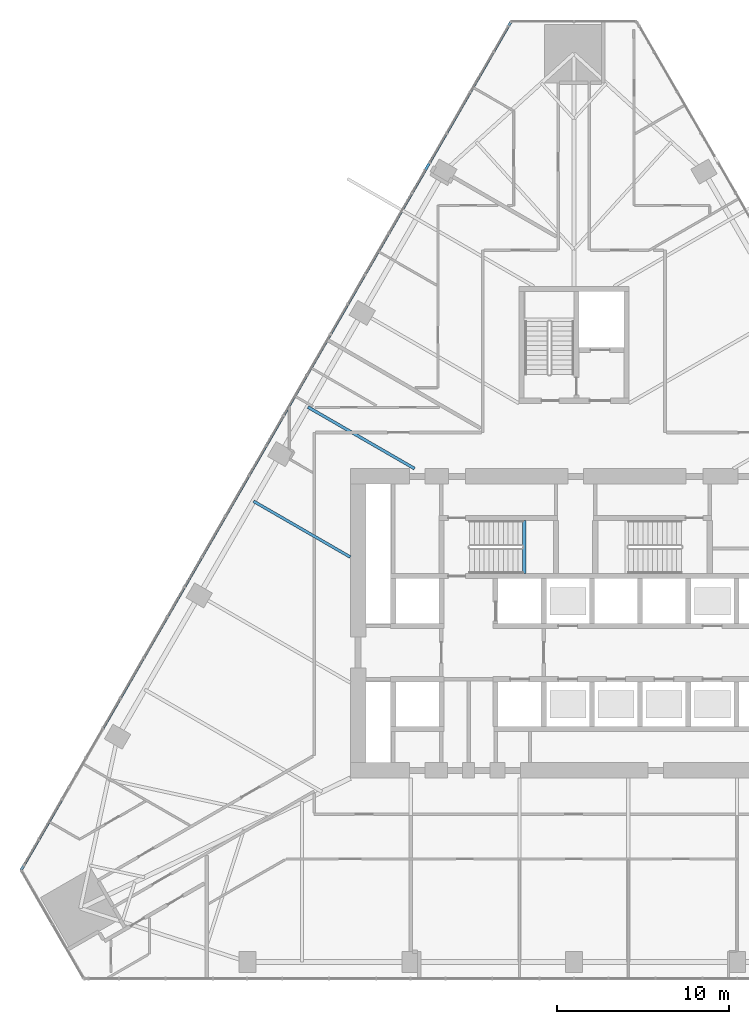
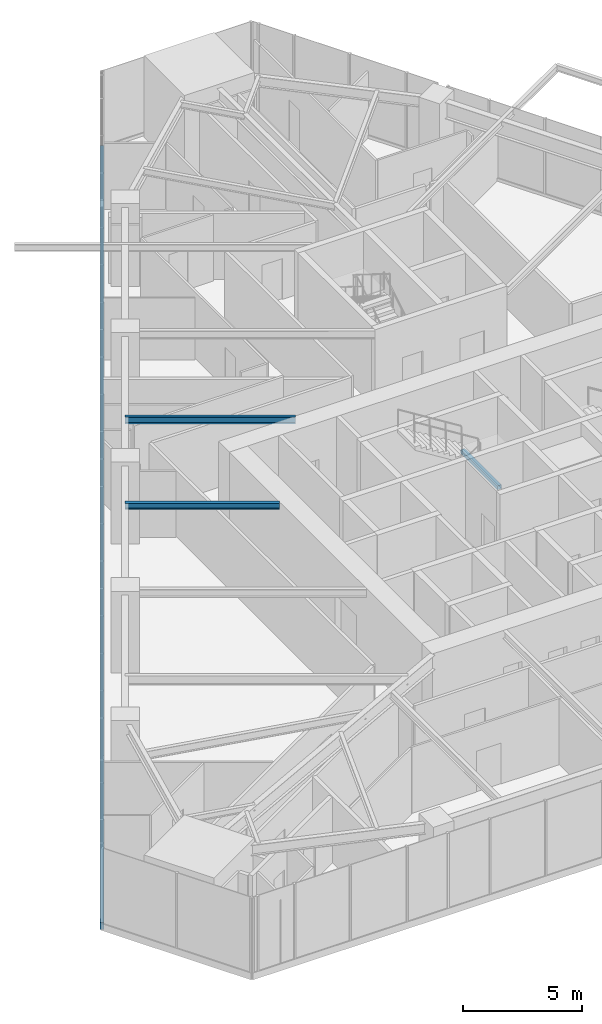
# One storey, part 4 of 26: 3 beams, 1 member, 1 element without a shape of its own.
"""IFC4 building model written with IfcOpenShell, lengths in metres."""

from ifc_helpers import new_model, si_unit, direction, frame, origin, origin_2d, place, context, subcontext, project, spatial, rectangle, i_section, extrude, material, layer, layer_set, material_profile, profile_set, type_object, element, aggregate, save


model = new_model("IFC4")

# Units and contexts
model_context = context("Model", 3, precision=1e-05, world=origin(), true_north=direction((0.0, 1.0)))
body_context = subcontext(model_context, "Body", "Model", "MODEL_VIEW")
ifc_project = project(units=[si_unit("LENGTHUNIT", "METRE"), si_unit("AREAUNIT", "SQUARE_METRE"), si_unit("VOLUMEUNIT", "CUBIC_METRE"), si_unit("PLANEANGLEUNIT", "RADIAN"), si_unit("MASSUNIT", "GRAM", prefix="KILO")], contexts=[model_context])

# Site, building, storey
site_placement = place(None, origin())
site = spatial("IfcSite", under=ifc_project, at=site_placement, CompositionType="ELEMENT")
building_placement = place(site_placement, origin())
building = spatial("IfcBuilding", under=site, at=building_placement, Name="Firuza Gate Tower and Library", CompositionType="ELEMENT")
storey_placement = place(building_placement, frame((0.0, 0.0, 77.800048828125)))
storey = spatial("IfcBuildingStorey", under=building, at=storey_placement, Name="L17", CompositionType="ELEMENT", Elevation=77.800048828125)

# Curtain wall, member
ifc_material_1 = material(Name="Aluminium 6063-T6", Category="aluminium")
ifc_layer = layer(ifc_material_1, 0.14990234375)
ifc_layer_set = layer_set([ifc_layer], Name="Unitised curtain wall, offices")
curtain_wall_type = type_object("IfcCurtainWallType", Name="Unitised curtain wall, offices", PredefinedType="NOTDEFINED", material=ifc_layer_set)
curtain_wall_placement = place(storey_placement, origin())
curtain_wall = element("IfcCurtainWall", 1, at=curtain_wall_placement, inside=storey, type_object=curtain_wall_type, Name="CW1 L17 W face", PredefinedType="NOTDEFINED")
ifc_material_2 = material(Name="Aluminium 6063-T6", Category="aluminium")
ifc_material_profile_1 = material_profile(ifc_material_2, rectangle(XDim=0.14990234375, YDim=0.35009765625, at=origin_2d()))
ifc_profile_set_1 = profile_set([ifc_material_profile_1], Name="Aluminium 6063-T6")
member_type = type_object("IfcMemberType", Name="Curtain wall transom 350x150", PredefinedType="USERDEFINED", material=ifc_profile_set_1)
member_placement = place(storey_placement, frame((71.356689453125, 110.011474609375, -0.025146484375), z_axis=(-0.500000903099, -0.86602488238, 0.0), x_axis=(0.86602488238, -0.500000903099, 0.0)))
member = element("IfcMember", 2, at=member_placement, type_object=member_type, Name="Transom", ObjectType="TRANSOM", PredefinedType="USERDEFINED", context=body_context, shape_type="SweptSolid", body=[
    extrude(rectangle(XDim=0.14990234375, YDim=0.35009765625, at=origin_2d()), origin(), (0.0, 0.0, 1.0), 56.99853515625),
])
aggregate(curtain_wall, [member])

# Beams
ifc_material_3 = material(Name="Concrete C35/45", Category="concrete")
ifc_material_profile_2 = material_profile(ifc_material_3, rectangle(XDim=0.199951171875, YDim=0.199951171875, at=origin_2d()))
ifc_profile_set_2 = profile_set([ifc_material_profile_2], Name="Concrete C35/45")
beam_type_1 = type_object("IfcBeamType", Name="Stair landing bearer 200x200", PredefinedType="BEAM", material=ifc_profile_set_2)
beam_1_placement = place(storey_placement, frame((72.1201171875, 77.89990234375, 1.800048828125), z_axis=(0.0, 1.0, 0.0), x_axis=(-1.0, 0.0, 0.0)))
element("IfcBeam", 3, at=beam_1_placement, inside=storey, type_object=beam_type_1, Name="Landing bearer L17 stair 1", PredefinedType="BEAM", context=body_context, shape_type="SweptSolid", body=[
    extrude(rectangle(XDim=0.199951171875, YDim=0.199951171875, at=origin_2d()), origin(), (0.0, 0.0, 1.0), 3.080078125),
])
ifc_material_4 = material(Name="Steel S355", Category="steel")
ifc_material_profile_3 = material_profile(ifc_material_4, i_section(OverallWidth=0.1650390625, OverallDepth=0.31005859375, WebThickness=0.005859375, FlangeThickness=0.009765625, at=origin_2d()))
ifc_profile_set_3 = profile_set([ifc_material_profile_3], Name="Steel S355")
beam_type_2 = type_object("IfcBeamType", Name="W310x39 Floor beam", PredefinedType="JOIST", material=ifc_profile_set_3)
beam_2_placement = place(storey_placement, frame((56.37060546875, 82.104736328125, 3.844970703125), z_axis=(0.866034226713, -0.499984717929, 0.0), x_axis=(0.499984717929, 0.866034226713, 0.0)))
element("IfcBeam", 4, at=beam_2_placement, inside=storey, type_object=beam_type_2, Name="Floor beam L17 s83", PredefinedType="JOIST", context=body_context, shape_type="SweptSolid", body=[
    extrude(i_section(OverallWidth=0.1650390625, OverallDepth=0.31005859375, WebThickness=0.005859375, FlangeThickness=0.009765625, at=origin_2d()), origin(), (0.0, 0.0, 1.0), 6.500244140625),
])
ifc_material_5 = material(Name="Steel S355", Category="steel")
ifc_material_profile_4 = material_profile(ifc_material_5, i_section(OverallWidth=0.1708984375, OverallDepth=0.35498046875, WebThickness=0.007080078125, FlangeThickness=0.01171875, at=origin_2d()))
ifc_profile_set_4 = profile_set([ifc_material_profile_4], Name="Steel S355")
beam_type_3 = type_object("IfcBeamType", Name="W360x51 Floor beam", PredefinedType="JOIST", material=ifc_profile_set_4)
beam_3_placement = place(storey_placement, frame((59.532470703125, 87.5810546875, 3.822509765625), z_axis=(0.866027779288, -0.499995885484, 0.0), x_axis=(0.499995885484, 0.866027779288, 0.0)))
element("IfcBeam", 5, at=beam_3_placement, inside=storey, type_object=beam_type_3, Name="Floor beam L17 s82", PredefinedType="JOIST", context=body_context, shape_type="SweptSolid", body=[
    extrude(i_section(OverallWidth=0.1708984375, OverallDepth=0.35498046875, WebThickness=0.007080078125, FlangeThickness=0.01171875, at=origin_2d()), origin(), (0.0, 0.0, 1.0), 7.162109375),
])

save(model, "model.ifc")
